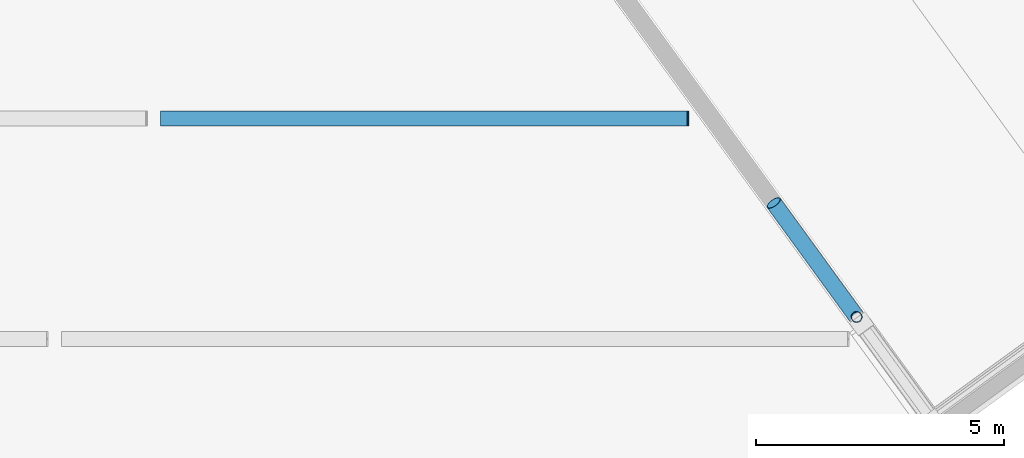
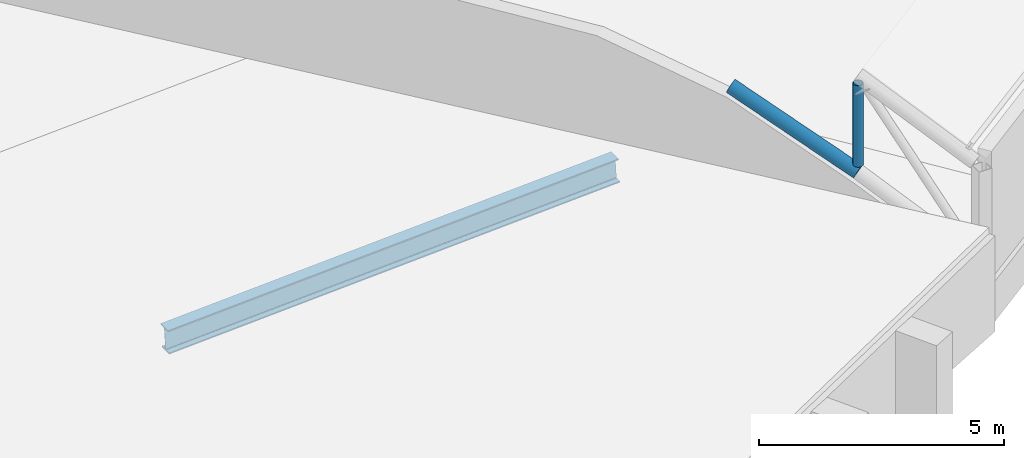
# One storey, part 92 of 196: 2 members, 1 beam.
"""IFC4 building model written with IfcOpenShell, lengths in metres."""

import ifcopenshell
import ifcopenshell.guid

model = None  # the IFC model being written
_history = None  # IfcOwnerHistory: only IFC2X3 demands one
_inside = {}  # id of a spatial element -> (the spatial element, [elements in it])
_under = {}  # id of a project, library or spatial element -> (it, [spatial elements below it])
_declared = {}  # id of a project -> (the project, [libraries it declares])
_typed = {}  # id of a type object -> (the type object, [elements of that type])
_made_of = {}  # id of a material, layer set ... -> (it, [elements and type objects made of it])


def new_model(schema):
    """Start an empty IFC model of exactly this schema.

    Asked for "IFC4X3", IfcOpenShell would pick the latest addendum, in which some entities
    have other attributes; the version numbers below select the first issue.
    IFC2X3 requires an IfcOwnerHistory on every rooted entity: one is made here for all.
    """
    global model, _history
    if schema == "IFC4X3":
        model = ifcopenshell.file(schema_version=(4, 3, 0, 0))
    else:
        model = ifcopenshell.file(schema=schema)
    _inside.clear()
    _under.clear()
    _declared.clear()
    _typed.clear()
    _made_of.clear()
    _history = None
    if model.schema == "IFC2X3":
        org = make("IfcOrganization", Name="unknown")
        user = make(
            "IfcPersonAndOrganization",
            ThePerson=make("IfcPerson", FamilyName="unknown"),
            TheOrganization=org,
        )
        app = make(
            "IfcApplication",
            ApplicationDeveloper=org,
            Version="unknown",
            ApplicationFullName="unknown",
            ApplicationIdentifier="unknown",
        )
        _history = make(
            "IfcOwnerHistory",
            OwningUser=user,
            OwningApplication=app,
            ChangeAction="ADDED",
            CreationDate=0,
        )
    return model


def make(cls, **values):
    """One entity of the class cls with the attributes given. An attribute that is None is left unset."""
    return model.create_entity(
        cls, **{name: value for name, value in values.items() if value is not None}
    )


def rooted(cls, **values):
    """An entity with a GlobalId (a new one), such as an element, a storey or a relation."""
    return make(cls, GlobalId=ifcopenshell.guid.new(), OwnerHistory=_history, **values)


def si_unit(unit_type, name, prefix=None):
    """IfcSIUnit, for example si_unit("LENGTHUNIT", "METRE", prefix="MILLI")."""
    return make("IfcSIUnit", UnitType=unit_type, Prefix=prefix, Name=name)


def assignment(units):
    """IfcUnitAssignment: the units of a project."""
    return None if units is None else make("IfcUnitAssignment", Units=units)


def point(xyz):
    """IfcCartesianPoint."""
    return None if xyz is None else make("IfcCartesianPoint", Coordinates=xyz)


def direction(xyz):
    """IfcDirection."""
    return None if xyz is None else make("IfcDirection", DirectionRatios=xyz)


def frame(location, z_axis=None, x_axis=None):
    """IfcAxis2Placement3D, a coordinate frame: its origin and axes. An axis left out is left unset."""
    return make(
        "IfcAxis2Placement3D",
        Location=point(location),
        Axis=direction(z_axis),
        RefDirection=direction(x_axis),
    )


def frame_2d(location, x_axis=None):
    """IfcAxis2Placement2D, a coordinate frame in the plane: its origin and x axis."""
    return make(
        "IfcAxis2Placement2D", Location=point(location), RefDirection=direction(x_axis)
    )


def origin():
    """The frame at (0, 0, 0) with its axes left unset."""
    return frame((0.0, 0.0, 0.0))


def origin_2d():
    """The frame at (0, 0) in the plane with its x axis left unset."""
    return frame_2d((0.0, 0.0))


def place(relative_to, where):
    """IfcLocalPlacement: puts the frame where relative to a parent placement (None: the world)."""
    return make(
        "IfcLocalPlacement", PlacementRelTo=relative_to, RelativePlacement=where
    )


def context(
    kind, dimensions, precision=None, world=None, true_north=None, identifier=None
):
    """IfcGeometricRepresentationContext, for example the 3D "Model" context."""
    return make(
        "IfcGeometricRepresentationContext",
        ContextIdentifier=identifier,
        ContextType=kind,
        CoordinateSpaceDimension=dimensions,
        Precision=precision,
        WorldCoordinateSystem=world,
        TrueNorth=true_north,
    )


def subcontext(parent, identifier, kind, view, scale=None):
    """IfcGeometricRepresentationSubContext, for example "Body" below "Model"."""
    return make(
        "IfcGeometricRepresentationSubContext",
        ContextIdentifier=identifier,
        ContextType=kind,
        ParentContext=parent,
        TargetScale=scale,
        TargetView=view,
    )


def project(units=None, contexts=None):
    """IfcProject with its units and contexts."""
    return rooted(
        "IfcProject",
        Name="project",
        RepresentationContexts=contexts,
        UnitsInContext=assignment(units),
    )


def spatial(cls, under=None, at=None, **own):
    """A site, building, storey or space (cls), placed at a placement, below another one or the project."""
    s = rooted(cls, ObjectPlacement=at, **own)
    if under is not None:
        _under.setdefault(under.id(), (under, []))[1].append(s)
    return s


def profile(cls, at=None, kind="AREA", **sizes):
    """A parametric profile (cls). Its sizes go by their IFC names, for example OverallWidth=200.0."""
    return make(cls, ProfileType=kind, Position=at, **sizes)


def hollow_circle(**sizes):
    """IfcCircleHollowProfileDef."""
    return profile("IfcCircleHollowProfileDef", **sizes)


def i_section(**sizes):
    """IfcIShapeProfileDef."""
    return profile("IfcIShapeProfileDef", **sizes)


def extrude(swept, where, along, depth):
    """IfcExtrudedAreaSolid: the profile swept, set in the frame where, extruded along a direction by depth."""
    return make(
        "IfcExtrudedAreaSolid",
        SweptArea=swept,
        Position=where,
        ExtrudedDirection=direction(along),
        Depth=depth,
    )


def shape(context_of_items, identifier, shape_type, items):
    """IfcShapeRepresentation: the items that make up one representation, for example the "Body"."""
    return make(
        "IfcShapeRepresentation",
        ContextOfItems=context_of_items,
        RepresentationIdentifier=identifier,
        RepresentationType=shape_type,
        Items=items,
    )


def material(Name=None, Category=None):
    """IfcMaterial."""
    return make("IfcMaterial", Name=Name, Category=Category)


def material_profile(
    of_material, cross_section, Name=None, Category=None, Priority=None
):
    """IfcMaterialProfile: a cross section and its material."""
    return make(
        "IfcMaterialProfile",
        Name=Name,
        Material=of_material,
        Profile=cross_section,
        Priority=Priority,
        Category=Category,
    )


def profile_set(profiles, Name=None, composite=None):
    """IfcMaterialProfileSet."""
    return make(
        "IfcMaterialProfileSet",
        Name=Name,
        MaterialProfiles=profiles,
        CompositeProfile=composite,
    )


def made_of(thing, what):
    """Note that an element or type object is made of a material, layer set ...; save() writes the relation."""
    if what is not None:
        _made_of.setdefault(what.id(), (what, []))[1].append(thing)
    return thing


def type_object(cls, material=None, **own):
    """A type object (cls), such as IfcWallType, which elements share."""
    return made_of(rooted(cls, **own), material)


def element(
    cls,
    number,
    at=None,
    inside=None,
    cuts=None,
    type_object=None,
    material=None,
    context=None,
    identifier="Body",
    shape_type=None,
    held_by="IfcProductDefinitionShape",
    body=None,
    shapes=None,
    **own,
):
    """One element of the class cls, such as IfcWall. Its Tag is "e" and its number.

    at: its placement. inside: the storey or other place that contains it. cuts: it is an
    opening in that element (IfcRelVoidsElement). A single representation is given by context,
    identifier, shape_type and body (its items); several are given by shapes. held_by: the class
    of the entity that holds the representations. save() writes the other relations.
    """
    e = rooted(cls, Tag="e%d" % number, ObjectPlacement=at, **own)
    if body is not None:
        shapes = [shape(context, identifier, shape_type, body)]
    if shapes is not None:
        e.Representation = make(held_by, Representations=shapes)
    if inside is not None:
        _inside.setdefault(inside.id(), (inside, []))[1].append(e)
    if cuts is not None:
        rooted(
            "IfcRelVoidsElement", RelatingBuildingElement=cuts, RelatedOpeningElement=e
        )
    if type_object is not None:
        _typed.setdefault(type_object.id(), (type_object, []))[1].append(e)
    return made_of(e, material)


def aggregate(whole, parts):
    """IfcRelAggregates: a whole, such as a stair, and the parts it consists of."""
    return rooted("IfcRelAggregates", RelatingObject=whole, RelatedObjects=parts)


def save(model, path):
    """Write the relations noted so far, then the file.

    IfcRelAggregates (storeys below a building ...), IfcRelContainedInSpatialStructure (elements
    in a storey), IfcRelDefinesByType, IfcRelAssociatesMaterial and IfcRelDeclares: one each for
    every whole, place, type object, material and project.
    """
    for whole, parts in _under.values():
        aggregate(whole, parts)
    for where, things in _inside.values():
        rooted(
            "IfcRelContainedInSpatialStructure",
            RelatedElements=things,
            RelatingStructure=where,
        )
    for kind, things in _typed.values():
        rooted("IfcRelDefinesByType", RelatedObjects=things, RelatingType=kind)
    for what, things in _made_of.values():
        rooted("IfcRelAssociatesMaterial", RelatedObjects=things, RelatingMaterial=what)
    for by, libraries in _declared.values():
        rooted("IfcRelDeclares", RelatingContext=by, RelatedDefinitions=libraries)
    model.write(path)


model = new_model("IFC4")

# Units and contexts
model_context = context("Model", 3, precision=1e-05, world=origin(), true_north=direction((0.0, 1.0)))
body_context = subcontext(model_context, "Body", "Model", "MODEL_VIEW")
ifc_project = project(units=[si_unit("LENGTHUNIT", "METRE"), si_unit("AREAUNIT", "SQUARE_METRE"), si_unit("VOLUMEUNIT", "CUBIC_METRE"), si_unit("PLANEANGLEUNIT", "RADIAN"), si_unit("MASSUNIT", "GRAM", prefix="KILO")], contexts=[model_context])

# Site, building, storey
site_placement = place(None, origin())
site = spatial("IfcSite", under=ifc_project, at=site_placement, CompositionType="ELEMENT")
building_placement = place(site_placement, origin())
building = spatial("IfcBuilding", under=site, at=building_placement, Name="Okhra Congress Centre", CompositionType="ELEMENT")
storey_placement = place(building_placement, frame((0.0, 0.0, 12.0)))
storey = spatial("IfcBuildingStorey", under=building, at=storey_placement, Name="L02", CompositionType="ELEMENT", Elevation=12.0)

# Members
ifc_material_1 = material(Name="Steel S355J2H", Category="steel")
ifc_material_profile_1 = material_profile(ifc_material_1, hollow_circle(Radius=0.109619140625, WallThickness=0.008056640625, at=origin_2d()), Name="CHS 219.1x8")
ifc_profile_set_1 = profile_set([ifc_material_profile_1], Name="Steel S355J2H")
member_type_1 = type_object("IfcMemberType", Name="CHS 219.1x8", PredefinedType="POST", material=ifc_profile_set_1)
member_1_placement = place(storey_placement, frame((228.185302734375, 158.345703125, 3.1240234375), z_axis=(0.0, 0.0, 1.0), x_axis=(1.0, 0.0, 0.0)))
element("IfcMember", 1, at=member_1_placement, inside=storey, type_object=member_type_1, Name="Truss 1 post 1", PredefinedType="POST", context=body_context, shape_type="SweptSolid", body=[
    extrude(hollow_circle(Radius=0.109619140625, WallThickness=0.008056640625, at=origin_2d()), origin(), (0.0, 0.0, 1.0), 2.033447265625),
])
ifc_material_profile_2 = material_profile(ifc_material_1, hollow_circle(Radius=0.161865234375, WallThickness=0.012451171875, at=origin_2d()), Name="CHS 323.9x12.5")
ifc_profile_set_2 = profile_set([ifc_material_profile_2], Name="Steel S355J2H")
member_type_2 = type_object("IfcMemberType", Name="CHS 323.9x12.5", PredefinedType="CHORD", material=ifc_profile_set_2)
member_2_placement = place(storey_placement, frame((228.185302734375, 158.345703125, 2.940673828125), z_axis=(-0.532696866834, 0.733215967568, 0.422644523175), x_axis=(-0.809025240298, -0.587773902586, 0.0)))
element("IfcMember", 2, at=member_2_placement, inside=storey, type_object=member_type_2, Name="Truss 1 bottom chord 2", PredefinedType="CHORD", context=body_context, shape_type="SweptSolid", body=[
    extrude(hollow_circle(Radius=0.161865234375, WallThickness=0.012451171875, at=origin_2d()), origin(), (0.0, 0.0, 1.0), 3.141357421875),
])

# Beam
ifc_material_2 = material(Name="Steel S355J2", Category="steel")
ifc_material_profile_3 = material_profile(ifc_material_2, i_section(OverallWidth=0.300048828125, OverallDepth=0.60009765625, WebThickness=0.015380859375, FlangeThickness=0.030029296875, FilletRadius=0.027099609375, at=origin_2d()), Name="HE 600 B")
ifc_profile_set_3 = profile_set([ifc_material_profile_3], Name="Steel S355J2")
beam_type = type_object("IfcBeamType", Name="HE 600 B", PredefinedType="BEAM", material=ifc_profile_set_3)
beam_placement = place(storey_placement, frame((214.14990234375, 162.35009765625, 1.255126953125), z_axis=(0.998590009185, 0.0, 0.053084777057), x_axis=(0.0, 1.0, 0.0)))
element("IfcBeam", 3, at=beam_placement, inside=storey, type_object=beam_type, Name="Foyer rafter 2.2", PredefinedType="BEAM", context=body_context, shape_type="SweptSolid", body=[
    extrude(i_section(OverallWidth=0.300048828125, OverallDepth=0.60009765625, WebThickness=0.015380859375, FlangeThickness=0.030029296875, FilletRadius=0.027099609375, at=origin_2d()), origin(), (0.0, 0.0, 1.0), 10.646728515625),
])

save(model, "model.ifc")
